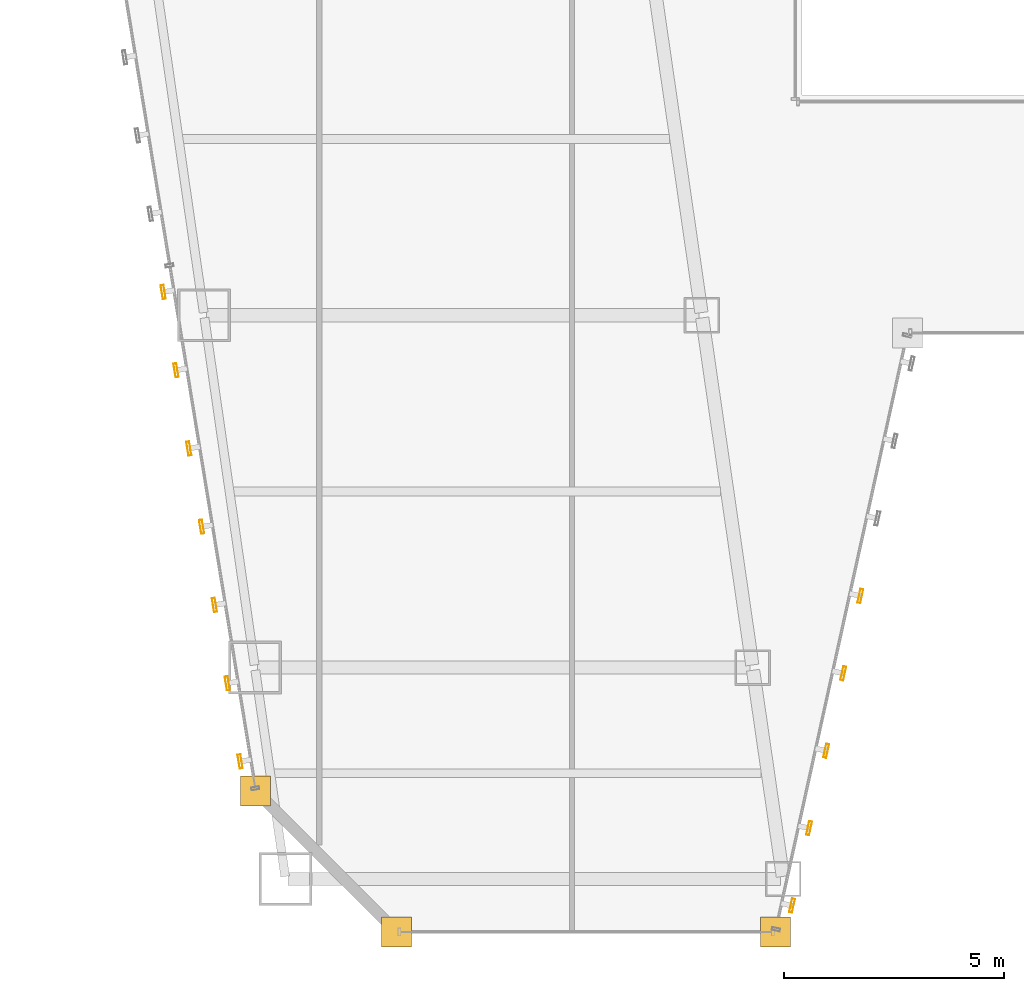
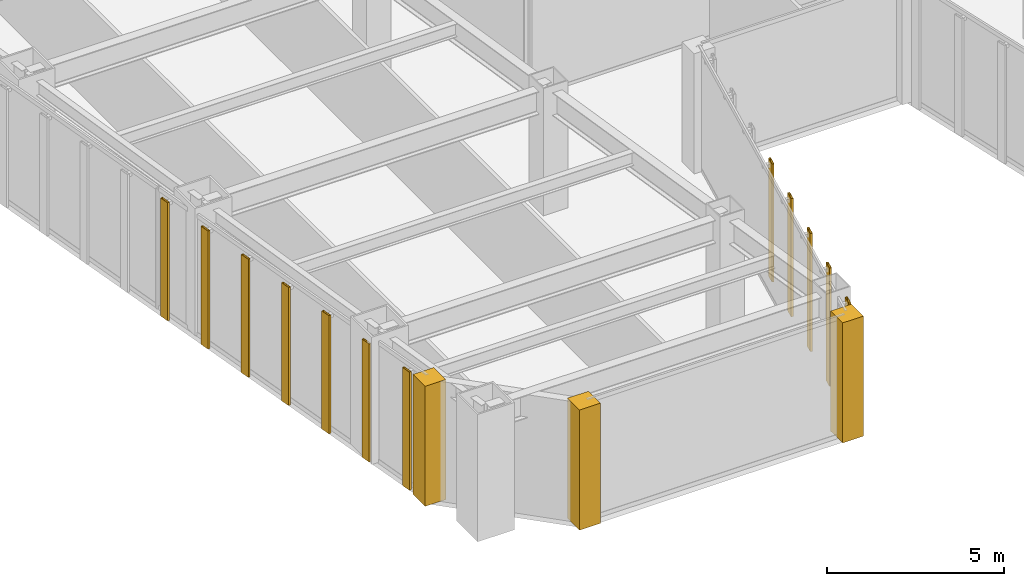
# One storey, part 41 of 49: 12 shading devices, 3 coverings.
"""IFC4 building model written with IfcOpenShell, lengths in metres."""

from ifc_helpers import new_model, si_unit, direction, frame, origin, origin_2d, place, context, subcontext, project, spatial, polyline, hollow_rectangle, outline, extrude, material, layer, layer_set, material_profile, profile_set, type_object, element, save


model = new_model("IFC4")

# Units and contexts
model_context = context("Model", 3, precision=1e-05, world=origin(), true_north=direction((0.0, 1.0)))
body_context = subcontext(model_context, "Body", "Model", "MODEL_VIEW")
ifc_project = project(units=[si_unit("LENGTHUNIT", "METRE"), si_unit("AREAUNIT", "SQUARE_METRE"), si_unit("VOLUMEUNIT", "CUBIC_METRE"), si_unit("PLANEANGLEUNIT", "RADIAN"), si_unit("MASSUNIT", "GRAM", prefix="KILO")], contexts=[model_context])

# Site, building, storey
site_placement = place(None, origin())
site = spatial("IfcSite", under=ifc_project, at=site_placement, CompositionType="ELEMENT")
building_placement = place(site_placement, origin())
building = spatial("IfcBuilding", under=site, at=building_placement, Name="Saevonmaru Cultural Tower", CompositionType="ELEMENT")
storey_placement = place(building_placement, frame((0.0, 0.0, 73.60009765625)))
storey = spatial("IfcBuildingStorey", under=building, at=storey_placement, Name="L15", CompositionType="ELEMENT", Elevation=73.60009765625)

# Coverings
ifc_material = material(Name="Satin Bronze Anodised Aluminium", Category="aluminium")
ifc_layer = layer(ifc_material, 0.679931640625, Name="Satin Bronze Anodised Aluminium")
ifc_layer_set = layer_set([ifc_layer], Name="Satin Bronze Anodised Aluminium")
covering_type = type_object("IfcCoveringType", Name="CV-CORNER-CLAD", PredefinedType="CLADDING", material=ifc_layer_set)
covering_1_placement = place(storey_placement, origin())
element("IfcCovering", 1, at=covering_1_placement, inside=storey, type_object=covering_type, Name="L15 Tower Bronze Corner Cladding Pier 1", PredefinedType="CLADDING", context=body_context, shape_type="SweptSolid", body=[
    extrude(outline(polyline([(11.4599609375, 4.860107421875), (12.139892578125, 4.860107421875), (12.139892578125, 5.5400390625), (11.4599609375, 5.5400390625), (11.4599609375, 4.860107421875)])), origin(), (0.0, 0.0, 1.0), 4.14990234375),
])
covering_2_placement = place(storey_placement, origin())
element("IfcCovering", 2, at=covering_2_placement, inside=storey, type_object=covering_type, Name="L15 Tower Bronze Corner Cladding Pier 2", PredefinedType="CLADDING", context=body_context, shape_type="SweptSolid", body=[
    extrude(outline(polyline([(14.659912109375, 1.659912109375), (15.340087890625, 1.659912109375), (15.340087890625, 2.340087890625), (14.659912109375, 2.340087890625), (14.659912109375, 1.659912109375)])), origin(), (0.0, 0.0, 1.0), 4.14990234375),
])
covering_3_placement = place(storey_placement, origin())
element("IfcCovering", 3, at=covering_3_placement, inside=storey, type_object=covering_type, Name="L15 Tower Bronze Corner Cladding Pier 3", PredefinedType="CLADDING", context=body_context, shape_type="SweptSolid", body=[
    extrude(outline(polyline([(23.260009765625, 1.659912109375), (23.93994140625, 1.659912109375), (23.93994140625, 2.340087890625), (23.260009765625, 2.340087890625), (23.260009765625, 1.659912109375)])), origin(), (0.0, 0.0, 1.0), 4.14990234375),
])

# Shading devices
ifc_material_profile = material_profile(ifc_material, hollow_rectangle(XDim=0.070068359375, YDim=0.320068359375, WallThickness=0.0048828125, at=origin_2d()), Name="FIN-320x70")
ifc_profile_set = profile_set([ifc_material_profile], Name="Satin Bronze Anodised Aluminium")
shading_device_type = type_object("IfcShadingDeviceType", Name="SHD-FIN-320", PredefinedType="JALOUSIE", material=ifc_profile_set)
for number, where, z_axis, x_axis, name in (
    (4, (23.977294921875, 2.59619140625, 0.0498046875), (0.0, 0.0, 1.0), (0.976522126798, -0.215417120661, 0.0), "L15 Art Deco Sawtooth Bronze Fin E3-01"),
    (5, (24.364990234375, 4.35400390625, 0.0498046875), (0.0, 0.0, 1.0), (0.976522126798, -0.215417120661, 0.0), "L15 Art Deco Sawtooth Bronze Fin E3-02"),
    (6, (24.752685546875, 6.11181640625, 0.0498046875), (0.0, 0.0, 1.0), (0.976522126798, -0.215417120661, 0.0), "L15 Art Deco Sawtooth Bronze Fin E3-03"),
    (7, (25.140380859375, 7.869384765625, 0.0498046875), (0.0, 0.0, 1.0), (0.976522126798, -0.215417120661, 0.0), "L15 Art Deco Sawtooth Bronze Fin E3-04"),
    (8, (25.5283203125, 9.627197265625, 0.0498046875), (0.0, 0.0, 1.0), (0.976522126798, -0.215417120661, 0.0), "L15 Art Deco Sawtooth Bronze Fin E3-05"),
    (9, (9.70068359375, 16.527099609375, 0.0498046875), (0.0, 0.0, 1.0), (-0.986827496189, -0.161776057456, 0.0), "L15 Art Deco Sawtooth Bronze Fin E12-21"),
    (10, (9.99169921875, 14.750732421875, 0.0498046875), (0.0, 0.0, 1.0), (-0.986827496189, -0.161776057456, 0.0), "L15 Art Deco Sawtooth Bronze Fin E12-22"),
    (11, (10.28271484375, 12.974365234375, 0.0498046875), (0.0, 0.0, 1.0), (-0.986827496189, -0.161776057456, 0.0), "L15 Art Deco Sawtooth Bronze Fin E12-23"),
    (12, (10.573974609375, 11.197998046875, 0.0498046875), (0.0, 0.0, 1.0), (-0.986827496189, -0.161776057456, 0.0), "L15 Art Deco Sawtooth Bronze Fin E12-24"),
    (13, (10.864990234375, 9.421875, 0.0498046875), (0.0, 0.0, 1.0), (-0.986827496189, -0.161776057456, 0.0), "L15 Art Deco Sawtooth Bronze Fin E12-25"),
    (14, (11.156005859375, 7.6455078125, 0.0498046875), (0.0, 0.0, 1.0), (-0.986827496189, -0.161776057456, 0.0), "L15 Art Deco Sawtooth Bronze Fin E12-26"),
    (15, (11.447021484375, 5.869140625, 0.0498046875), (0.0, 0.0, 1.0), (-0.986827496189, -0.161776057456, 0.0), "L15 Art Deco Sawtooth Bronze Fin E12-27"),
):
    element("IfcShadingDevice", number, at=place(storey_placement, frame(where, z_axis=z_axis, x_axis=x_axis)), inside=storey, type_object=shading_device_type, Name=name, PredefinedType="JALOUSIE", context=body_context, shape_type="SweptSolid", body=[
        extrude(hollow_rectangle(XDim=0.070068359375, YDim=0.320068359375, WallThickness=0.0048828125, at=origin_2d()), origin(), (0.0, 0.0, 1.0), 4.080078125),
    ])

save(model, "model.ifc")
